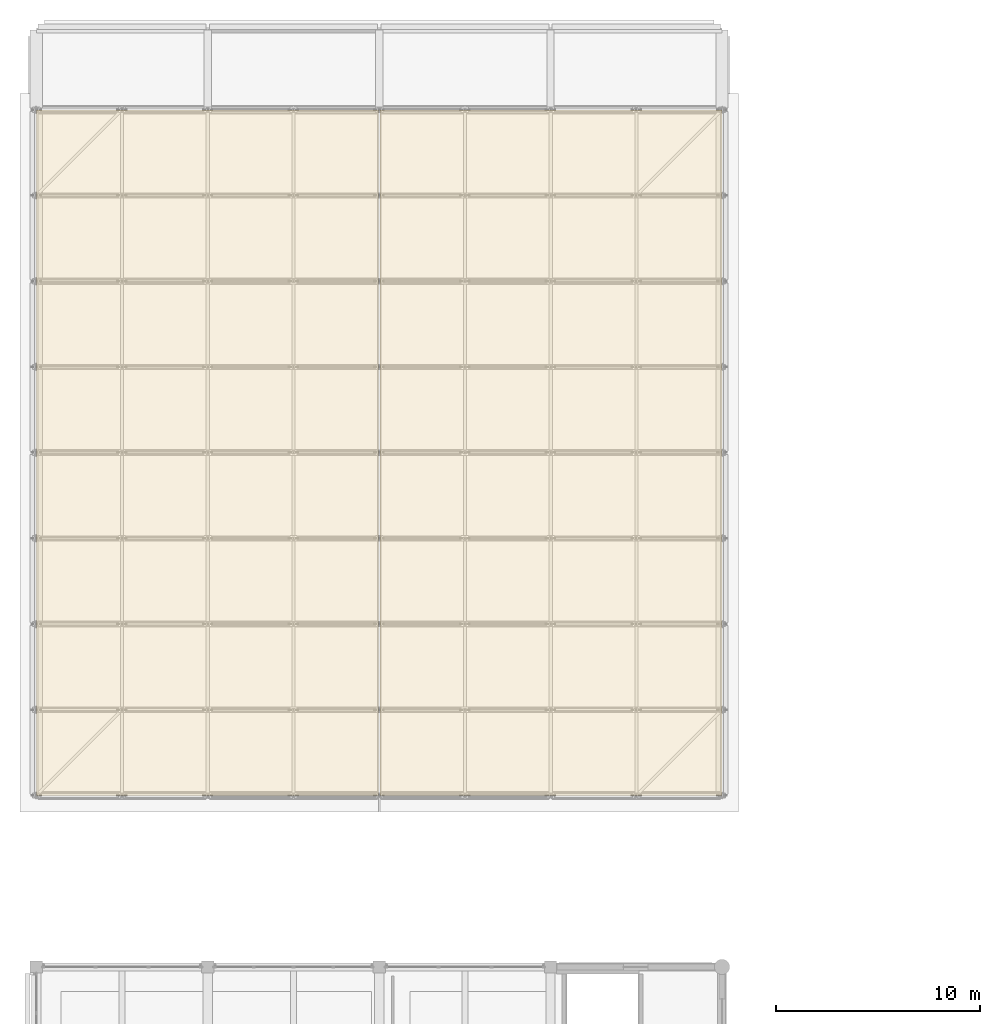
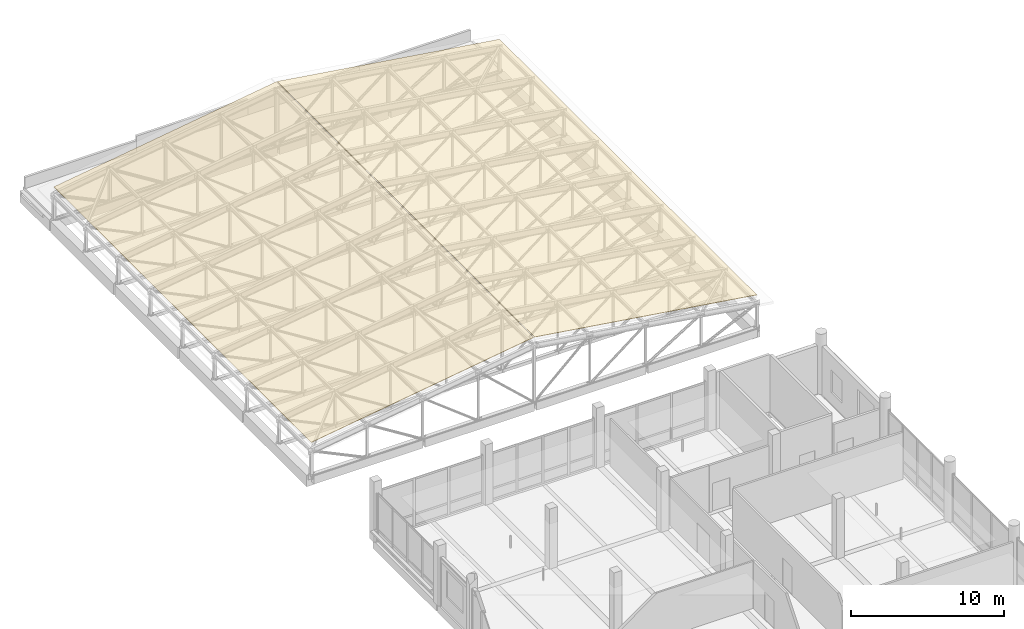
# One storey, part 121 of 122: 1 covering.
"""IFC4 building model written with IfcOpenShell, lengths in metres."""

from ifc_helpers import new_model, si_unit, direction, frame, origin, place, context, subcontext, project, spatial, polyline, outline, extrude, material, layer, layer_set, type_object, element, save


model = new_model("IFC4")

# Units and contexts
model_context = context("Model", 3, precision=1e-05, world=origin(), true_north=direction((0.0, 1.0)))
body_context = subcontext(model_context, "Body", "Model", "MODEL_VIEW")
ifc_project = project(units=[si_unit("LENGTHUNIT", "METRE"), si_unit("AREAUNIT", "SQUARE_METRE"), si_unit("VOLUMEUNIT", "CUBIC_METRE"), si_unit("PLANEANGLEUNIT", "RADIAN"), si_unit("MASSUNIT", "GRAM", prefix="KILO")], contexts=[model_context])

# Site, building, storey
site_placement = place(None, origin())
site = spatial("IfcSite", under=ifc_project, at=site_placement, CompositionType="ELEMENT")
building_placement = place(site_placement, origin())
building = spatial("IfcBuilding", under=site, at=building_placement, Name="Telukmera Botanical Conservatory", CompositionType="ELEMENT")
storey_placement = place(building_placement, frame((0.0, 0.0, 10.199951171875)))
storey = spatial("IfcBuildingStorey", under=building, at=storey_placement, Name="L02", CompositionType="ELEMENT", Elevation=10.199951171875)

# Covering
ifc_material = material(Name="Elastomeric bituminous waterproof roofing membrane")
ifc_layer = layer(ifc_material, 0.030029296875)
ifc_layer_set = layer_set([ifc_layer], Name="Elastomeric bituminous waterproof roofing membrane")
covering_type = type_object("IfcCoveringType", Name="Elastomeric Bituminous Waterproof Roof Membrane", PredefinedType="ROOFING", material=ifc_layer_set)
covering_placement = place(storey_placement, origin())
element("IfcCovering", 1, at=covering_placement, inside=storey, type_object=covering_type, Name="Auditorium Pitched Roof Waterproof Membrane", PredefinedType="ROOFING", context=body_context, shape_type="SweptSolid", body=[
    extrude(outline(polyline([(0.0, 0.0), (16.950337756569873, 0.0), (16.950337756569873, 33.60009765625), (0.0, 33.60009765625), (0.0, 0.0)])), frame((8.39990234375, 83.199951171875, 2.594970703125), z_axis=(-0.147806558768, 0.0, 0.989016289646), x_axis=(0.989016289646, 0.0, 0.147806558768)), (0.0, 0.0, -1.0), 0.030029296875),
    extrude(outline(polyline([(0.0, 0.0), (16.950096297553195, 0.0), (16.950096297553195, 33.60009765624999), (0.0, 33.60009765624999), (0.0, 0.0)])), frame((25.236083984375, 83.199951171875, 5.100341796875), z_axis=(0.147808664315, 0.0, 0.989015974974), x_axis=(0.989015974974, 0.0, -0.147808664315)), (0.0, 0.0, -1.0), 0.030029296875),
])

save(model, "model.ifc")
